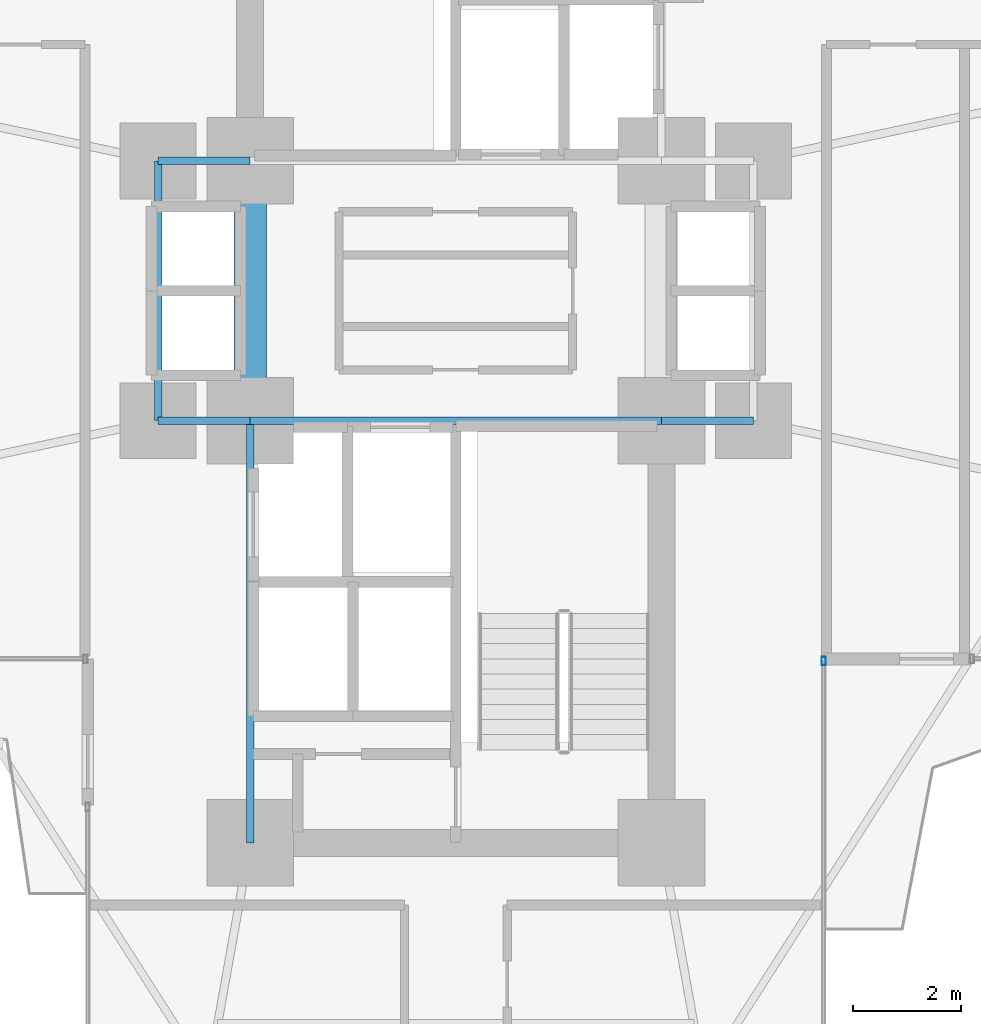
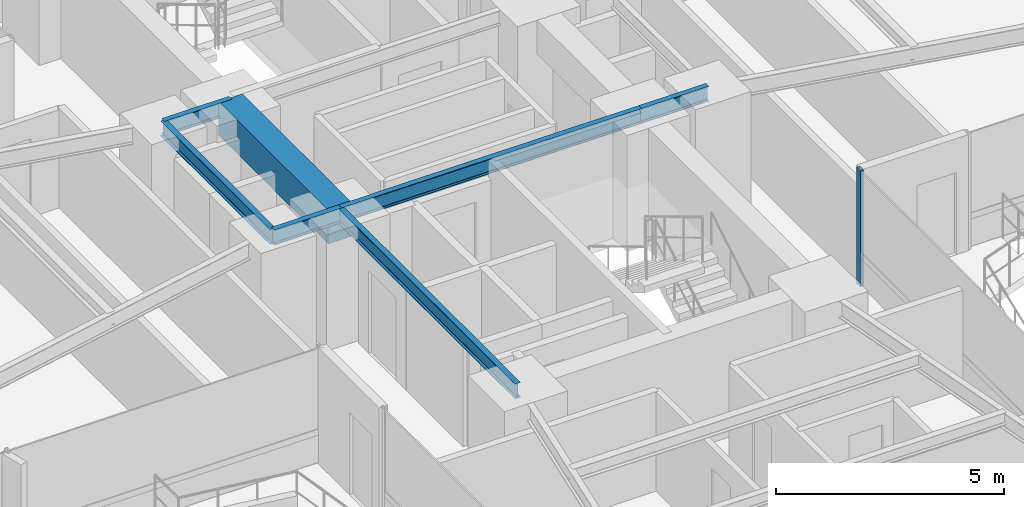
# One storey, part 11 of 25: 7 beams, 1 member, 1 element without a shape of its own.
"""IFC4 building model written with IfcOpenShell, lengths in metres."""

from ifc_helpers import new_model, si_unit, direction, frame, origin, origin_2d, place, context, subcontext, project, spatial, rectangle, hollow_rectangle, i_section, extrude, source, transform, mapped, material, material_profile, profile_set, type_object, element, aggregate, save


model = new_model("IFC4")

# Units and contexts
model_context = context("Model", 3, precision=1e-05, world=origin(), true_north=direction((0.0, 1.0)))
body_context = subcontext(model_context, "Body", "Model", "MODEL_VIEW")
ifc_project = project(units=[si_unit("LENGTHUNIT", "METRE"), si_unit("AREAUNIT", "SQUARE_METRE"), si_unit("VOLUMEUNIT", "CUBIC_METRE"), si_unit("PLANEANGLEUNIT", "RADIAN"), si_unit("MASSUNIT", "GRAM", prefix="KILO")], contexts=[model_context])

# Site, building, storey
site_placement = place(None, origin())
site = spatial("IfcSite", under=ifc_project, at=site_placement, CompositionType="ELEMENT")
building_placement = place(site_placement, origin())
building = spatial("IfcBuilding", under=site, at=building_placement, Name="Sahyath Konkavel Grand Hotel", CompositionType="ELEMENT")
storey_placement = place(building_placement, frame((0.0, 0.0, 36.5)))
storey = spatial("IfcBuildingStorey", under=building, at=storey_placement, Name="L09", CompositionType="ELEMENT", Elevation=36.5)

# Beams
ifc_material_1 = material(Name="Concrete C70/85", Category="concrete")
ifc_material_profile_1 = material_profile(ifc_material_1, rectangle(XDim=0.60009765625, YDim=0.89990234375, at=origin_2d()), Name="RC 600x900")
ifc_profile_set_1 = profile_set([ifc_material_profile_1], Name="Concrete C70/85")
beam_type_1 = type_object("IfcBeamType", Name="BM-CB600x900", PredefinedType="LINTEL", material=ifc_profile_set_1)
shared_shape_1 = source(origin(), body_context, "Body", "SweptSolid", [
    extrude(rectangle(XDim=0.60009765625, YDim=0.89990234375, at=origin_2d()), origin(), (0.0, 0.0, 1.0), 4.7998046875),
])
beam_1_placement = place(storey_placement, frame((-3.800048828125, -2.39990234375, 2.659912109375), z_axis=(0.0, 1.0, 0.0), x_axis=(-1.0, 0.0, 0.0)))
element("IfcBeam", 1, at=beam_1_placement, inside=storey, type_object=beam_type_1, Name="L09 Split-Core Coupling Beam West", PredefinedType="LINTEL", context=body_context, shape_type="MappedRepresentation", body=[
    mapped(shared_shape_1, transform((0.0, 0.0, 0.0), scale=1.0)),
])
ifc_material_2 = material(Name="Steel E350", Category="steel")
ifc_material_profile_2 = material_profile(ifc_material_2, i_section(OverallWidth=0.139892578125, OverallDepth=0.39990234375, WebThickness=0.0087890625, FlangeThickness=0.01611328125, FilletRadius=0.013916015625, at=origin_2d()), Name="ISMB 400")
ifc_profile_set_2 = profile_set([ifc_material_profile_2], Name="Steel E350")
beam_type_2 = type_object("IfcBeamType", Name="BM-ISMB400", PredefinedType="BEAM", material=ifc_profile_set_2)
shared_shape_2 = source(origin(), body_context, "Body", "SweptSolid", [
    extrude(i_section(OverallWidth=0.139892578125, OverallDepth=0.39990234375, WebThickness=0.0087890625, FlangeThickness=0.01611328125, FilletRadius=0.013916015625, at=origin_2d()), origin(), (0.0, 0.0, 1.0), 7.60009765625),
])
beam_2_placement = place(storey_placement, frame((-3.800048828125, -2.39990234375, 2.909912109375), z_axis=(1.0, 0.0, 0.0), x_axis=(0.0, 1.0, 0.0)))
element("IfcBeam", 2, at=beam_2_placement, inside=storey, type_object=beam_type_2, Name="str:bm:L09:SC-N", PredefinedType="BEAM", context=body_context, shape_type="MappedRepresentation", body=[
    mapped(shared_shape_2, transform((0.0, 0.0, 0.0), scale=1.0)),
])
shared_shape_3 = source(origin(), body_context, "Body", "SweptSolid", [
    extrude(i_section(OverallWidth=0.139892578125, OverallDepth=0.39990234375, WebThickness=0.0087890625, FlangeThickness=0.01611328125, FilletRadius=0.013916015625, at=origin_2d()), origin(), (0.0, 0.0, 1.0), 7.800048828125),
])
beam_3_placement = place(storey_placement, frame((-3.800048828125, -10.199951171875, 2.909912109375), z_axis=(0.0, 1.0, 0.0), x_axis=(-1.0, 0.0, 0.0)))
element("IfcBeam", 3, at=beam_3_placement, inside=storey, type_object=beam_type_2, Name="str:bm:L09:SC-W", PredefinedType="BEAM", context=body_context, shape_type="MappedRepresentation", body=[
    mapped(shared_shape_3, transform((0.0, 0.0, 0.0), scale=1.0)),
])
shared_shape_4 = source(origin(), body_context, "Body", "SweptSolid", [
    extrude(i_section(OverallWidth=0.139892578125, OverallDepth=0.39990234375, WebThickness=0.0087890625, FlangeThickness=0.01611328125, FilletRadius=0.013916015625, at=origin_2d()), origin(), (0.0, 0.0, 1.0), 1.699951171875),
])
for number, where, z_axis, x_axis, name in (
    (4, (-5.5, 2.39990234375, 2.909912109375), (1.0, 0.0, 0.0), (0.0, 1.0, 0.0), "str:bm:L09:HB-NW"),
    (5, (-5.5, -2.39990234375, 2.909912109375), (1.0, 0.0, 0.0), (0.0, 1.0, 0.0), "str:bm:L09:HB-SW"),
    (6, (3.800048828125, -2.39990234375, 2.909912109375), (1.0, 0.0, 0.0), (0.0, 1.0, 0.0), "str:bm:L09:HB-SE"),
):
    element("IfcBeam", number, at=place(storey_placement, frame(where, z_axis=z_axis, x_axis=x_axis)), inside=storey, type_object=beam_type_2, Name=name, PredefinedType="BEAM", context=body_context, shape_type="MappedRepresentation", body=[
        mapped(shared_shape_4, transform((0.0, 0.0, 0.0), scale=1.0)),
    ])
shared_shape_5 = source(origin(), body_context, "Body", "SweptSolid", [
    extrude(i_section(OverallWidth=0.139892578125, OverallDepth=0.39990234375, WebThickness=0.0087890625, FlangeThickness=0.01611328125, FilletRadius=0.013916015625, at=origin_2d()), origin(), (0.0, 0.0, 1.0), 4.7998046875),
])
beam_4_placement = place(storey_placement, frame((-5.5, -2.39990234375, 2.909912109375), z_axis=(0.0, 1.0, 0.0), x_axis=(-1.0, 0.0, 0.0)))
element("IfcBeam", 7, at=beam_4_placement, inside=storey, type_object=beam_type_2, Name="str:bm:L09:HB-W", PredefinedType="BEAM", context=body_context, shape_type="MappedRepresentation", body=[
    mapped(shared_shape_5, transform((0.0, 0.0, 0.0), scale=1.0)),
])

# Curtain wall, member
ifc_material_3 = material(Name="Anodised Bronze Aluminium & Low-E Glazing", Category="aluminium")
curtain_wall_type = type_object("IfcCurtainWallType", Name="CW-ZONE1", PredefinedType="NOTDEFINED", material=ifc_material_3)
curtain_wall_placement = place(storey_placement, origin())
curtain_wall = element("IfcCurtainWall", 8, at=curtain_wall_placement, inside=storey, type_object=curtain_wall_type, Name="L09 Unitised Curtain Wall F31", PredefinedType="NOTDEFINED")
ifc_material_4 = material(Name="Anodised Bronze Aluminium", Category="aluminium")
ifc_material_profile_3 = material_profile(ifc_material_4, hollow_rectangle(XDim=0.080078125, YDim=0.159912109375, WallThickness=0.006103515625, at=origin_2d()), Name="RHS 160x80x6")
ifc_profile_set_3 = profile_set([ifc_material_profile_3], Name="Anodised Bronze Aluminium")
member_type = type_object("IfcMemberType", Name="CW-MUL-160", PredefinedType="MULLION", material=ifc_profile_set_3)
shared_shape_6 = source(origin(), body_context, "Body", "SweptSolid", [
    extrude(hollow_rectangle(XDim=0.080078125, YDim=0.159912109375, WallThickness=0.006103515625, at=origin_2d()), origin(), (0.0, 0.0, 1.0), 3.110107421875),
])
member_placement = place(storey_placement, frame((6.800048828125, -6.840087890625, 0.0), z_axis=(0.0, 0.0, 1.0), x_axis=(1.0, 0.0, 0.0)))
member = element("IfcMember", 9, at=member_placement, type_object=member_type, Name="L09 Curtain Wall Mullion F31-2", PredefinedType="MULLION", context=body_context, shape_type="MappedRepresentation", body=[
    mapped(shared_shape_6, transform((0.0, 0.0, 0.0), scale=1.0)),
])
aggregate(curtain_wall, [member])

save(model, "model.ifc")
